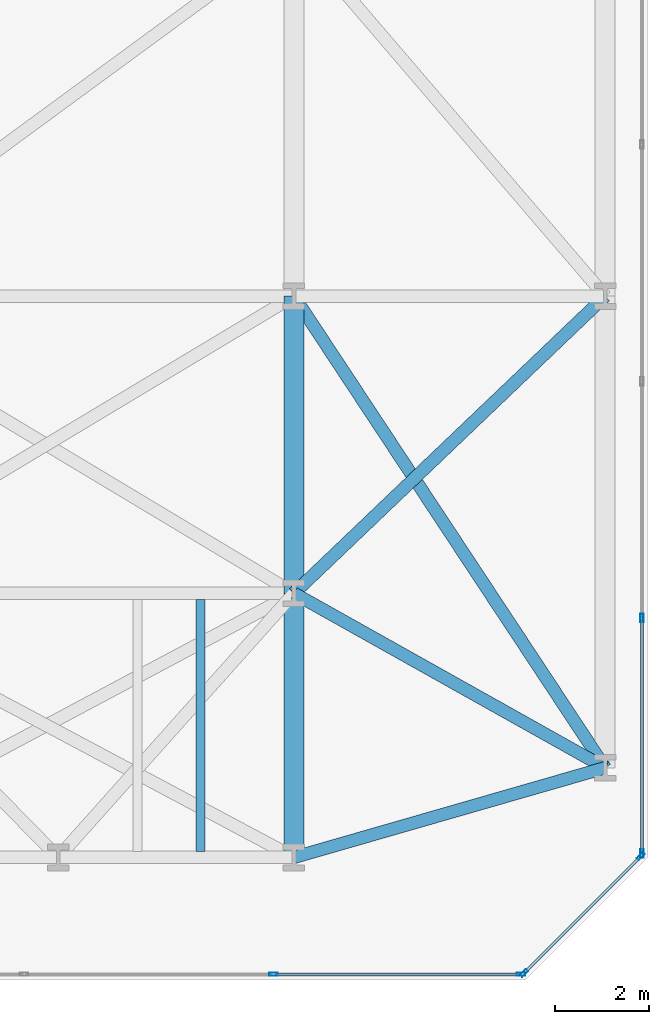
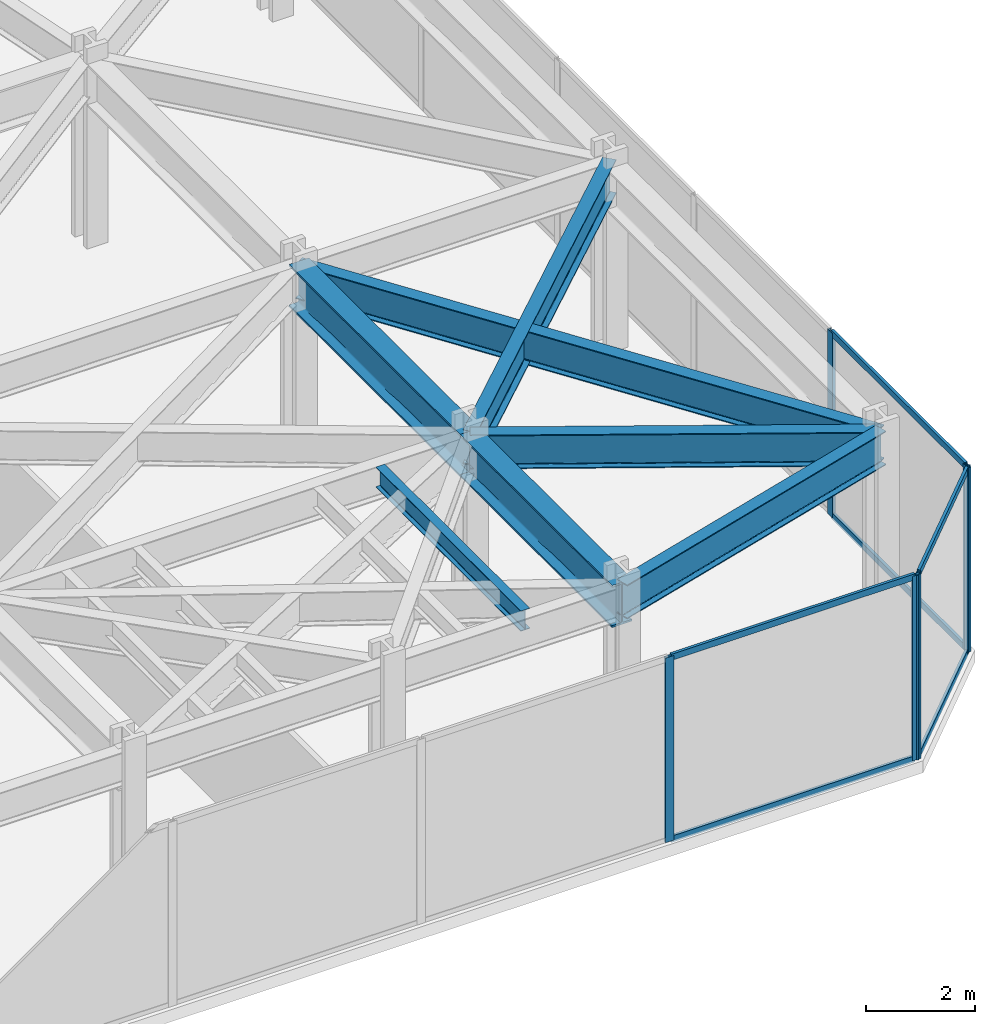
# One storey, part 21 of 30: 12 members, 7 beams, 3 elements without a shape of their own.
"""IFC4 building model written with IfcOpenShell, lengths in metres."""

from ifc_helpers import new_model, si_unit, direction, frame, origin, origin_2d, place, context, subcontext, project, spatial, hollow_rectangle, i_section, extrude, material, layer, layer_set, material_profile, profile_set, type_object, element, aggregate, save


model = new_model("IFC4")

# Units and contexts
model_context = context("Model", 3, precision=1e-05, world=origin(), true_north=direction((0.0, 1.0)))
body_context = subcontext(model_context, "Body", "Model", "MODEL_VIEW")
ifc_project = project(units=[si_unit("LENGTHUNIT", "METRE"), si_unit("AREAUNIT", "SQUARE_METRE"), si_unit("VOLUMEUNIT", "CUBIC_METRE"), si_unit("PLANEANGLEUNIT", "RADIAN"), si_unit("MASSUNIT", "GRAM", prefix="KILO")], contexts=[model_context])

# Site, building, storey
site_placement = place(None, origin())
site = spatial("IfcSite", under=ifc_project, at=site_placement, CompositionType="ELEMENT")
building_placement = place(site_placement, origin())
building = spatial("IfcBuilding", under=site, at=building_placement, Name="Kravanh Interchange Tower", CompositionType="ELEMENT")
storey_placement = place(building_placement, frame((0.0, 0.0, 19.800048828125)))
storey = spatial("IfcBuildingStorey", under=building, at=storey_placement, Name="L04", CompositionType="ELEMENT", Elevation=19.800048828125)

# Curtain wall, members
ifc_material_1 = material(Name="Anodised Bronze Aluminium", Category="aluminium")
ifc_layer = layer(ifc_material_1, 0.179931640625)
ifc_layer_set = layer_set([ifc_layer], Name="Unitised Curtain Wall System CW-POD Podium Concourse")
curtain_wall_type = type_object("IfcCurtainWallType", Name="Unitised Curtain Wall System CW-POD Podium Concourse", PredefinedType="NOTDEFINED", material=ifc_layer_set)
curtain_wall_1_placement = place(storey_placement, origin())
curtain_wall_1 = element("IfcCurtainWall", 1, at=curtain_wall_1_placement, inside=storey, type_object=curtain_wall_type, Name="L04 Unitised Curtain Wall CW-L04-02", PredefinedType="NOTDEFINED")
ifc_material_2 = material(Name="Anodised Bronze Aluminium", Category="aluminium")
ifc_material_profile_1 = material_profile(ifc_material_2, hollow_rectangle(XDim=0.070068359375, YDim=0.179931640625, WallThickness=0.00390625, at=origin_2d()), Name="ALU70X180X4")
ifc_profile_set_1 = profile_set([ifc_material_profile_1], Name="Anodised Bronze Aluminium")
member_type_1 = type_object("IfcMemberType", Name="Curtain Wall Mullion ALU70X180X4 Bronze", PredefinedType="MULLION", material=ifc_profile_set_1)
member_1_placement = place(storey_placement, frame((73.8798828125, 7.671142578125, 0.0), z_axis=(0.0, 0.0, 1.0), x_axis=(1.0, 0.0, 0.0)))
member_1 = element("IfcMember", 2, at=member_1_placement, type_object=member_type_1, Name="CW-POD mullion 7", PredefinedType="MULLION", context=body_context, shape_type="SweptSolid", body=[
    extrude(hollow_rectangle(XDim=0.070068359375, YDim=0.179931640625, WallThickness=0.00390625, at=origin_2d()), origin(), (0.0, 0.0, 1.0), 4.14990234375),
])
member_2_placement = place(storey_placement, frame((73.8798828125, 2.684814453125, 0.0), z_axis=(0.0, 0.0, 1.0), x_axis=(1.0, 0.0, 0.0)))
member_2 = element("IfcMember", 3, at=member_2_placement, type_object=member_type_1, Name="CW-POD mullion 8", PredefinedType="MULLION", context=body_context, shape_type="SweptSolid", body=[
    extrude(hollow_rectangle(XDim=0.070068359375, YDim=0.179931640625, WallThickness=0.00390625, at=origin_2d()), origin(), (0.0, 0.0, 1.0), 4.14990234375),
])

curtain_wall_2_placement = place(storey_placement, origin())
curtain_wall_2 = element("IfcCurtainWall", 4, at=curtain_wall_2_placement, inside=storey, type_object=curtain_wall_type, Name="L04 Unitised Curtain Wall CW-L04-03", PredefinedType="NOTDEFINED")
member_3_placement = place(storey_placement, frame((73.855224609375, 2.625, 0.0), z_axis=(0.0, 0.0, 1.0), x_axis=(0.707106781187, -0.707106781187, 0.0)))
member_3 = element("IfcMember", 5, at=member_3_placement, type_object=member_type_1, Name="CW-POD mullion 1", PredefinedType="MULLION", context=body_context, shape_type="SweptSolid", body=[
    extrude(hollow_rectangle(XDim=0.070068359375, YDim=0.179931640625, WallThickness=0.00390625, at=origin_2d()), origin(), (0.0, 0.0, 1.0), 4.14990234375),
])
member_4_placement = place(storey_placement, frame((71.375, 0.144775390625, 0.0), z_axis=(0.0, 0.0, 1.0), x_axis=(0.707106781187, -0.707106781187, 0.0)))
member_4 = element("IfcMember", 6, at=member_4_placement, type_object=member_type_1, Name="CW-POD mullion 2", PredefinedType="MULLION", context=body_context, shape_type="SweptSolid", body=[
    extrude(hollow_rectangle(XDim=0.070068359375, YDim=0.179931640625, WallThickness=0.00390625, at=origin_2d()), origin(), (0.0, 0.0, 1.0), 4.14990234375),
])

curtain_wall_3_placement = place(storey_placement, origin())
curtain_wall_3 = element("IfcCurtainWall", 7, at=curtain_wall_3_placement, inside=storey, type_object=curtain_wall_type, Name="L04 Unitised Curtain Wall CW-L04-04", PredefinedType="NOTDEFINED")
member_5_placement = place(storey_placement, frame((71.315185546875, 0.1201171875, 0.0), z_axis=(0.0, 0.0, 1.0), x_axis=(0.0, -1.0, 0.0)))
member_5 = element("IfcMember", 8, at=member_5_placement, type_object=member_type_1, Name="CW-POD mullion 1", PredefinedType="MULLION", context=body_context, shape_type="SweptSolid", body=[
    extrude(hollow_rectangle(XDim=0.070068359375, YDim=0.179931640625, WallThickness=0.00390625, at=origin_2d()), origin(), (0.0, 0.0, 1.0), 4.14990234375),
])
member_6_placement = place(storey_placement, frame((66.065673828125, 0.1201171875, 0.0), z_axis=(0.0, 0.0, 1.0), x_axis=(0.0, -1.0, 0.0)))
member_6 = element("IfcMember", 9, at=member_6_placement, type_object=member_type_1, Name="CW-POD mullion 2", PredefinedType="MULLION", context=body_context, shape_type="SweptSolid", body=[
    extrude(hollow_rectangle(XDim=0.070068359375, YDim=0.179931640625, WallThickness=0.00390625, at=origin_2d()), origin(), (0.0, 0.0, 1.0), 4.14990234375),
])

# Member
ifc_material_3 = material(Name="Anodised Bronze Aluminium", Category="aluminium")
ifc_material_profile_2 = material_profile(ifc_material_3, hollow_rectangle(XDim=0.06005859375, YDim=0.139892578125, WallThickness=0.00390625, at=origin_2d()), Name="ALU60X140X4")
ifc_profile_set_2 = profile_set([ifc_material_profile_2], Name="Anodised Bronze Aluminium")
member_type_2 = type_object("IfcMemberType", Name="Curtain Wall Transom ALU60X140X4 Bronze", PredefinedType="USERDEFINED", material=ifc_profile_set_2)
member_7_placement = place(storey_placement, frame((73.8798828125, 7.63623046875, 0.030029296875), z_axis=(0.0, -1.0, 0.0), x_axis=(1.0, 0.0, 0.0)))
member_7 = element("IfcMember", 10, at=member_7_placement, type_object=member_type_2, Name="CW-POD transom 7.1", ObjectType="TRANSOM", PredefinedType="USERDEFINED", context=body_context, shape_type="SweptSolid", body=[
    extrude(hollow_rectangle(XDim=0.06005859375, YDim=0.139892578125, WallThickness=0.00390625, at=origin_2d()), origin(), (0.0, 0.0, 1.0), 4.91650390625),
])

member_8_placement = place(storey_placement, frame((73.8798828125, 7.63623046875, 4.119873046875), z_axis=(0.0, -1.0, 0.0), x_axis=(1.0, 0.0, 0.0)))
member_8 = element("IfcMember", 11, at=member_8_placement, type_object=member_type_2, Name="CW-POD transom 7.2", ObjectType="TRANSOM", PredefinedType="USERDEFINED", context=body_context, shape_type="SweptSolid", body=[
    extrude(hollow_rectangle(XDim=0.06005859375, YDim=0.139892578125, WallThickness=0.00390625, at=origin_2d()), origin(), (0.0, 0.0, 1.0), 4.91650390625),
])

aggregate(curtain_wall_1, [member_1, member_2, member_7, member_8])

member_9_placement = place(storey_placement, frame((73.83056640625, 2.60009765625, 0.030029296875), z_axis=(-0.707106781187, -0.707106781187, 0.0), x_axis=(0.707106781187, -0.707106781187, 0.0)))
member_9 = element("IfcMember", 12, at=member_9_placement, type_object=member_type_2, Name="CW-POD transom 1.1", ObjectType="TRANSOM", PredefinedType="USERDEFINED", context=body_context, shape_type="SweptSolid", body=[
    extrude(hollow_rectangle(XDim=0.06005859375, YDim=0.139892578125, WallThickness=0.00390625, at=origin_2d()), origin(), (0.0, 0.0, 1.0), 3.4375),
])

member_10_placement = place(storey_placement, frame((73.83056640625, 2.60009765625, 4.119873046875), z_axis=(-0.707106781187, -0.707106781187, 0.0), x_axis=(0.707106781187, -0.707106781187, 0.0)))
member_10 = element("IfcMember", 13, at=member_10_placement, type_object=member_type_2, Name="CW-POD transom 1.2", ObjectType="TRANSOM", PredefinedType="USERDEFINED", context=body_context, shape_type="SweptSolid", body=[
    extrude(hollow_rectangle(XDim=0.06005859375, YDim=0.139892578125, WallThickness=0.00390625, at=origin_2d()), origin(), (0.0, 0.0, 1.0), 3.4375),
])

aggregate(curtain_wall_2, [member_3, member_4, member_9, member_10])

member_11_placement = place(storey_placement, frame((71.2802734375, 0.1201171875, 0.030029296875), z_axis=(-1.0, 0.0, 0.0), x_axis=(0.0, -1.0, 0.0)))
member_11 = element("IfcMember", 14, at=member_11_placement, type_object=member_type_2, Name="CW-POD transom 1.1", ObjectType="TRANSOM", PredefinedType="USERDEFINED", context=body_context, shape_type="SweptSolid", body=[
    extrude(hollow_rectangle(XDim=0.06005859375, YDim=0.139892578125, WallThickness=0.00390625, at=origin_2d()), origin(), (0.0, 0.0, 1.0), 5.1796875),
])

member_12_placement = place(storey_placement, frame((71.2802734375, 0.1201171875, 4.119873046875), z_axis=(-1.0, 0.0, 0.0), x_axis=(0.0, -1.0, 0.0)))
member_12 = element("IfcMember", 15, at=member_12_placement, type_object=member_type_2, Name="CW-POD transom 1.2", ObjectType="TRANSOM", PredefinedType="USERDEFINED", context=body_context, shape_type="SweptSolid", body=[
    extrude(hollow_rectangle(XDim=0.06005859375, YDim=0.139892578125, WallThickness=0.00390625, at=origin_2d()), origin(), (0.0, 0.0, 1.0), 5.1796875),
])

aggregate(curtain_wall_3, [member_5, member_6, member_11, member_12])

# Beams
ifc_material_4 = material(Name="Structural Steel S450", Category="steel")
ifc_material_profile_3 = material_profile(ifc_material_4, i_section(OverallWidth=0.423095703125, OverallDepth=0.947998046875, WebThickness=0.02392578125, FlangeThickness=0.042724609375, FilletRadius=0.028076171875, at=origin_2d()), Name="W36X302")
ifc_profile_set_3 = profile_set([ifc_material_profile_3], Name="Structural Steel S450")
beam_type_1 = type_object("IfcBeamType", Name="Floor Beam W36X302 Structural Steel S450", PredefinedType="BEAM", material=ifc_profile_set_3)
beam_1_placement = place(storey_placement, frame((66.5, 2.60009765625, 3.676025390625), z_axis=(0.0, 1.0, 0.0), x_axis=(-1.0, 0.0, 0.0)))
element("IfcBeam", 16, at=beam_1_placement, inside=storey, type_object=beam_type_1, Name="L04 Primary Floor Girder 20", PredefinedType="BEAM", context=body_context, shape_type="SweptSolid", body=[
    extrude(i_section(OverallWidth=0.423095703125, OverallDepth=0.947998046875, WebThickness=0.02392578125, FlangeThickness=0.042724609375, FilletRadius=0.028076171875, at=origin_2d()), origin(), (0.0, 0.0, 1.0), 5.599853515625),
])
beam_2_placement = place(storey_placement, frame((66.5, 8.199951171875, 3.676025390625), z_axis=(0.0, 1.0, 0.0), x_axis=(-1.0, 0.0, 0.0)))
element("IfcBeam", 17, at=beam_2_placement, inside=storey, type_object=beam_type_1, Name="L04 Primary Floor Girder 33", PredefinedType="BEAM", context=body_context, shape_type="SweptSolid", body=[
    extrude(i_section(OverallWidth=0.423095703125, OverallDepth=0.947998046875, WebThickness=0.02392578125, FlangeThickness=0.042724609375, FilletRadius=0.028076171875, at=origin_2d()), origin(), (0.0, 0.0, 1.0), 6.300048828125),
])
ifc_material_5 = material(Name="Structural Steel S355", Category="steel")
ifc_material_profile_4 = material_profile(ifc_material_5, i_section(OverallWidth=0.18994140625, OverallDepth=0.45703125, WebThickness=0.009033203125, FlangeThickness=0.014404296875, FilletRadius=0.01806640625, at=origin_2d()), Name="W18X50")
ifc_profile_set_4 = profile_set([ifc_material_profile_4], Name="Structural Steel S355")
beam_type_2 = type_object("IfcBeamType", Name="Floor Joist W18X50 Structural Steel S355", PredefinedType="JOIST", material=ifc_profile_set_4)
beam_3_placement = place(storey_placement, frame((64.51806640625, 2.728515625, 3.92138671875), z_axis=(0.0, 1.0, 0.0), x_axis=(-1.0, 0.0, 0.0)))
element("IfcBeam", 18, at=beam_3_placement, inside=storey, type_object=beam_type_2, Name="L04 Secondary Floor Joist 12", PredefinedType="JOIST", context=body_context, shape_type="SweptSolid", body=[
    extrude(i_section(OverallWidth=0.18994140625, OverallDepth=0.45703125, WebThickness=0.009033203125, FlangeThickness=0.014404296875, FilletRadius=0.01806640625, at=origin_2d()), origin(), (0.0, 0.0, 1.0), 5.343017578125),
])
ifc_material_6 = material(Name="Structural Steel S355", Category="steel")
ifc_material_profile_5 = material_profile(ifc_material_6, i_section(OverallWidth=0.26708984375, OverallDepth=0.761962890625, WebThickness=0.014404296875, FlangeThickness=0.021484375, FilletRadius=0.02490234375, at=origin_2d()), Name="W30X116")
ifc_profile_set_5 = profile_set([ifc_material_profile_5], Name="Structural Steel S355")
beam_type_3 = type_object("IfcBeamType", Name="Floor Spandrel W30X116 Structural Steel S355", PredefinedType="SPANDREL", material=ifc_profile_set_5)
beam_4_placement = place(storey_placement, frame((66.5, 2.60009765625, 3.76904296875), z_axis=(0.960977451506, 0.27662671183, 0.0), x_axis=(-0.27662671183, 0.960977451506, 0.0)))
element("IfcBeam", 19, at=beam_4_placement, inside=storey, type_object=beam_type_3, Name="L04 Perimeter Spandrel 21", PredefinedType="SPANDREL", context=body_context, shape_type="SweptSolid", body=[
    extrude(i_section(OverallWidth=0.26708984375, OverallDepth=0.761962890625, WebThickness=0.014404296875, FlangeThickness=0.021484375, FilletRadius=0.02490234375, at=origin_2d()), origin(), (0.0, 0.0, 1.0), 6.8681640625),
])
beam_5_placement = place(storey_placement, frame((66.5, 8.199951171875, 3.76904296875), z_axis=(0.872286391466, -0.488995348918, 0.0), x_axis=(0.488995348918, 0.872286391466, 0.0)))
element("IfcBeam", 20, at=beam_5_placement, inside=storey, type_object=beam_type_3, Name="L04 Perimeter Spandrel 34", PredefinedType="SPANDREL", context=body_context, shape_type="SweptSolid", body=[
    extrude(i_section(OverallWidth=0.26708984375, OverallDepth=0.761962890625, WebThickness=0.014404296875, FlangeThickness=0.021484375, FilletRadius=0.02490234375, at=origin_2d()), origin(), (0.0, 0.0, 1.0), 7.56640625),
])
beam_6_placement = place(storey_placement, frame((66.5, 8.199951171875, 3.76904296875), z_axis=(0.723357973995, 0.690473201115, 0.0), x_axis=(-0.690473201115, 0.723357973995, 0.0)))
element("IfcBeam", 21, at=beam_6_placement, inside=storey, type_object=beam_type_3, Name="L04 Perimeter Spandrel 35", PredefinedType="SPANDREL", context=body_context, shape_type="SweptSolid", body=[
    extrude(i_section(OverallWidth=0.26708984375, OverallDepth=0.761962890625, WebThickness=0.014404296875, FlangeThickness=0.021484375, FilletRadius=0.02490234375, at=origin_2d()), origin(), (0.0, 0.0, 1.0), 9.124267578125),
])
beam_7_placement = place(storey_placement, frame((66.5, 14.5, 3.76904296875), z_axis=(0.550847885697, -0.834605659472, 0.0), x_axis=(0.834605659472, 0.550847885697, 0.0)))
element("IfcBeam", 22, at=beam_7_placement, inside=storey, type_object=beam_type_3, Name="L04 Perimeter Spandrel 55", PredefinedType="SPANDREL", context=body_context, shape_type="SweptSolid", body=[
    extrude(i_section(OverallWidth=0.26708984375, OverallDepth=0.761962890625, WebThickness=0.014404296875, FlangeThickness=0.021484375, FilletRadius=0.02490234375, at=origin_2d()), origin(), (0.0, 0.0, 1.0), 11.981689453125),
])

save(model, "model.ifc")
